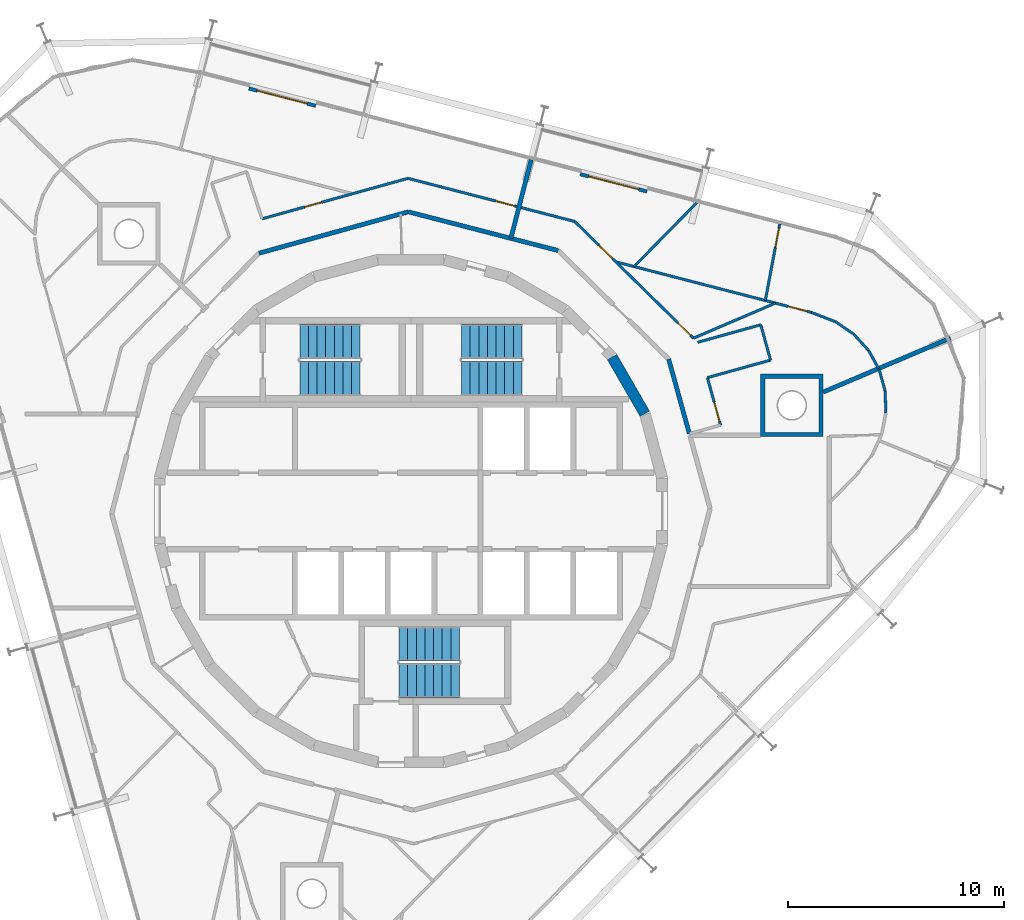
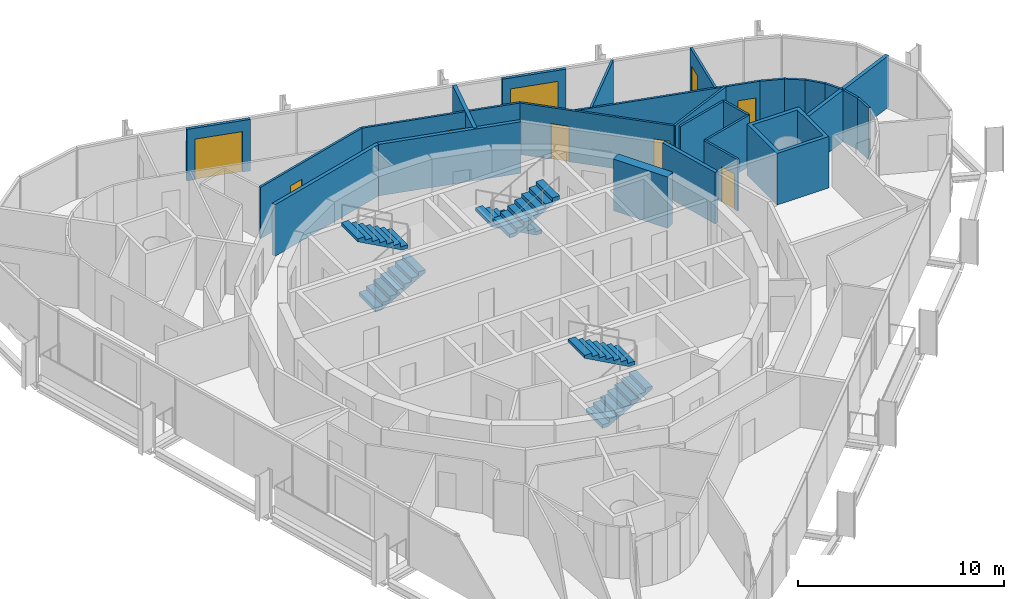
# One storey, part 14 of 15: 26 walls, 9 doors, 6 stair flights, 9 openings, 3 elements without a shape of their own.
"""IFC4 building model written with IfcOpenShell, lengths in metres."""

from ifc_helpers import new_model, si_unit, direction, frame, frame_2d, origin, place, context, subcontext, project, spatial, polyline, rectangle, outline, extrude, material, layer, layer_set, type_object, element, fill, aggregate, save


model = new_model("IFC4")

# Units and contexts
model_context = context("Model", 3, precision=1e-05, world=origin(), true_north=direction((0.0, 1.0)))
body_context = subcontext(model_context, "Body", "Model", "MODEL_VIEW")
ifc_project = project(units=[si_unit("LENGTHUNIT", "METRE"), si_unit("AREAUNIT", "SQUARE_METRE"), si_unit("VOLUMEUNIT", "CUBIC_METRE"), si_unit("PLANEANGLEUNIT", "RADIAN"), si_unit("MASSUNIT", "GRAM", prefix="KILO")], contexts=[model_context])

# Site, building, storey
site_placement = place(None, origin())
site = spatial("IfcSite", under=ifc_project, at=site_placement, CompositionType="ELEMENT")
building_placement = place(site_placement, origin())
building = spatial("IfcBuilding", under=site, at=building_placement, Name="Spindle Arch Residences", CompositionType="ELEMENT")
storey_placement = place(building_placement, frame((0.0, 0.0, 322.699951171875)))
storey = spatial("IfcBuildingStorey", under=building, at=storey_placement, Name="L83", CompositionType="ELEMENT", Elevation=322.699951171875)

# Walls
ifc_material_1 = material(Name="Concrete C50/60", Category="concrete")
ifc_layer_1 = layer(ifc_material_1, 0.5)
ifc_layer_set_1 = layer_set([ifc_layer_1], Name="Core outline wall 500")
wall_type_1 = type_object("IfcWallType", Name="Core outline wall 500", PredefinedType="SHEAR", material=ifc_layer_set_1)
wall_1_placement = place(storey_placement, frame((10.84521484375, 4.510498046875, 0.0), z_axis=(0.0, 0.0, 1.0), x_axis=(-0.500087131594, 0.865975092491, 0.0)))
element("IfcWall", 1, at=wall_1_placement, inside=storey, type_object=wall_type_1, Name="Core outline wall 8", PredefinedType="SHEAR", context=body_context, shape_type="SweptSolid", body=[
    extrude(rectangle(XDim=3.03271484375, YDim=0.5, at=frame_2d((1.516357421875, 0.0))), origin(), (0.0, 0.0, 1.0), 3.050048828125),
])
ifc_material_2 = material(Name="Calcium silicate block, plastered")
ifc_layer_2 = layer(ifc_material_2, 0.199951171875)
ifc_layer_set_2 = layer_set([ifc_layer_2], Name="Corridor wall 200")
wall_type_2 = type_object("IfcWallType", Name="Corridor wall 200", PredefinedType="STANDARD", material=ifc_layer_set_2)
wall_2_placement = place(storey_placement, frame((12.91259765625, 3.5810546875, 0.0), z_axis=(0.0, 0.0, 1.0), x_axis=(-0.267223005422, 0.963634715737, 0.0)))
element("IfcWall", 2, at=wall_2_placement, inside=storey, type_object=wall_type_2, Name="Corridor wall R8C1-W006", PredefinedType="STANDARD", context=body_context, shape_type="SweptSolid", body=[
    extrude(rectangle(XDim=3.590576171875, YDim=0.199951171875, at=frame_2d((1.79541015625, 0.0))), origin(), (0.0, 0.0, 1.0), 3.050048828125),
])
for number, where, z_axis, x_axis, name in (
    (3, (6.831298828125, 12.07421875, 0.0), (0.0, 0.0, 1.0), (-0.968144780225, 0.250391063186, 0.0), "Corridor wall R8C1-W008"),
    (4, (-0.12109375, 13.872314453125, 0.0), (0.0, 0.0, 1.0), (-0.963625960674, -0.267254575108, 0.0), "Corridor wall R8C1-W009"),
):
    element("IfcWall", number, at=place(storey_placement, frame(where, z_axis=z_axis, x_axis=x_axis)), inside=storey, type_object=wall_type_2, Name=name, PredefinedType="STANDARD", context=body_context, shape_type="SweptSolid", body=[
        extrude(rectangle(XDim=7.18115234375, YDim=0.199951171875, at=frame_2d((3.590576171875, 0.0))), origin(), (0.0, 0.0, 1.0), 3.050048828125),
    ])

# Wall, opening, door
ifc_material_3 = material(Name="Plasterboard on steel studs", Category="steel")
ifc_layer_3 = layer(ifc_material_3, 0.1201171875)
ifc_layer_set_3 = layer_set([ifc_layer_3], Name="Flat partition 120")
wall_type_3 = type_object("IfcWallType", Name="Flat partition 120", PredefinedType="PARTITIONING", material=ifc_layer_set_3)
wall_3_placement = place(storey_placement, frame((14.358154296875, 3.98193359375, 0.0), z_axis=(0.0, 0.0, 1.0), x_axis=(-0.267263698345, 0.963623430364, 0.0)))
wall_3 = element("IfcWall", 5, at=wall_3_placement, inside=storey, type_object=wall_type_3, Name="Flat partition R8C1-W031", PredefinedType="PARTITIONING", context=body_context, shape_type="SweptSolid", body=[
    extrude(rectangle(XDim=2.28564453125, YDim=0.1201171875, at=frame_2d((1.142822265625, 0.0))), origin(), (0.0, 0.0, 1.0), 3.050048828125),
])
opening_1_placement = place(wall_3_placement, frame((0.199951171875, 0.0, 0.0)))
opening_1 = element("IfcOpeningElement", 6, at=opening_1_placement, cuts=wall_3, Name="Opening R8C1-ID01", PredefinedType="OPENING", context=body_context, shape_type="SweptSolid", body=[
    extrude(rectangle(XDim=0.89990234375, YDim=2.10009765625, at=frame_2d((0.449951171875, 1.050048828125))), frame((0.0, 0.070068359375, 0.0), z_axis=(0.0, -1.0, 0.0), x_axis=(1.0, 0.0, 0.0)), (0.0, 0.0, 1.0), 0.14013671875),
])
ifc_material_4 = material(Name="Timber door set", Category="wood")
door_type_1 = type_object("IfcDoorType", Name="Room door 900x2100", OperationType="NOTDEFINED", PredefinedType="DOOR", material=ifc_material_4)
door_1_placement = place(opening_1_placement, origin())
door_1 = element("IfcDoor", 7, at=door_1_placement, inside=storey, type_object=door_type_1, Name="Room door R8C1-ID01", OperationType="SINGLE_SWING_LEFT", OverallHeight=2.10009765625, OverallWidth=0.89990234375, PredefinedType="DOOR", context=body_context, shape_type="SweptSolid", body=[
    extrude(rectangle(XDim=0.89990234375, YDim=2.10009765625, at=frame_2d((0.449951171875, 1.050048828125))), frame((0.0, 0.02490234375, 0.0), z_axis=(0.0, -1.0, 0.0), x_axis=(1.0, 0.0, 0.0)), (0.0, 0.0, 1.0), 0.050048828125),
])
fill(opening_1, door_1)

# Walls
wall_4_placement = place(storey_placement, frame((13.747314453125, 6.184326171875, 0.0), z_axis=(0.0, 0.0, 1.0), x_axis=(0.963620272151, 0.267275085073, 0.0)))
element("IfcWall", 8, at=wall_4_placement, inside=storey, type_object=wall_type_3, Name="Flat partition R8C1-W032", PredefinedType="PARTITIONING", context=body_context, shape_type="SweptSolid", body=[
    extrude(rectangle(XDim=3.0390625, YDim=0.1201171875, at=frame_2d((1.51953125, 0.0))), origin(), (0.0, 0.0, 1.0), 3.050048828125),
])
wall_5_placement = place(storey_placement, frame((16.67578125, 6.99658203125, 0.0), z_axis=(0.0, 0.0, 1.0), x_axis=(-0.267258687102, 0.963624820233, 0.0)))
element("IfcWall", 9, at=wall_5_placement, inside=storey, type_object=wall_type_3, Name="Flat partition R8C1-W033", PredefinedType="PARTITIONING", context=body_context, shape_type="SweptSolid", body=[
    extrude(rectangle(XDim=1.699951171875, YDim=0.1201171875, at=frame_2d((0.85009765625, 0.0))), origin(), (0.0, 0.0, 1.0), 3.050048828125),
])
wall_6_placement = place(storey_placement, frame((16.221435546875, 8.634765625, 0.0), z_axis=(0.0, 0.0, 1.0), x_axis=(-0.963616947452, -0.267287071484, 0.0)))
element("IfcWall", 10, at=wall_6_placement, inside=storey, type_object=wall_type_3, Name="Flat partition R8C1-W034", PredefinedType="PARTITIONING", context=body_context, shape_type="SweptSolid", body=[
    extrude(rectangle(XDim=3.03515625, YDim=0.1201171875, at=frame_2d((1.517578125, 0.0))), origin(), (0.0, 0.0, 1.0), 3.050048828125),
])

# Wall, openings, doors
wall_7_placement = place(storey_placement, frame((13.102783203125, 8.014404296875, 0.0), z_axis=(0.0, 0.0, 1.0), x_axis=(-0.713261822754, 0.700897690253, 0.0)))
wall_7 = element("IfcWall", 11, at=wall_7_placement, inside=storey, type_object=wall_type_3, Name="Flat partition R8C1-W035", PredefinedType="PARTITIONING", context=body_context, shape_type="SweptSolid", body=[
    extrude(rectangle(XDim=7.720703125, YDim=0.1201171875, at=frame_2d((3.8603515625, 0.0))), origin(), (0.0, 0.0, 1.0), 3.050048828125),
])
opening_2_placement = place(wall_7_placement, frame((0.199951171875, 0.0, 0.0)))
opening_2 = element("IfcOpeningElement", 12, at=opening_2_placement, cuts=wall_7, Name="Opening R8C1-BD01", PredefinedType="OPENING", context=body_context, shape_type="SweptSolid", body=[
    extrude(rectangle(XDim=0.800048828125, YDim=2.10009765625, at=frame_2d((0.39990234375, 1.050048828125))), frame((0.0, 0.070068359375, 0.0), z_axis=(0.0, -1.0, 0.0), x_axis=(1.0, 0.0, 0.0)), (0.0, 0.0, 1.0), 0.14013671875),
])
opening_3_placement = place(wall_7_placement, frame((5.25, 0.0, 0.0)))
opening_3 = element("IfcOpeningElement", 13, at=opening_3_placement, cuts=wall_7, Name="Opening R8C1-ID02", PredefinedType="OPENING", context=body_context, shape_type="SweptSolid", body=[
    extrude(rectangle(XDim=0.89990234375, YDim=2.10009765625, at=frame_2d((0.449951171875, 1.050048828125))), frame((0.0, 0.070068359375, 0.0), z_axis=(0.0, -1.0, 0.0), x_axis=(1.0, 0.0, 0.0)), (0.0, 0.0, 1.0), 0.14013671875),
])
ifc_material_5 = material(Name="Timber door set", Category="wood")
door_type_2 = type_object("IfcDoorType", Name="Bathroom door 800x2100", OperationType="NOTDEFINED", PredefinedType="DOOR", material=ifc_material_5)
door_2_placement = place(opening_2_placement, origin())
door_2 = element("IfcDoor", 14, at=door_2_placement, inside=storey, type_object=door_type_2, Name="Bathroom door R8C1-BD01", OperationType="SINGLE_SWING_LEFT", OverallHeight=2.10009765625, OverallWidth=0.800048828125, PredefinedType="DOOR", context=body_context, shape_type="SweptSolid", body=[
    extrude(rectangle(XDim=0.800048828125, YDim=2.10009765625, at=frame_2d((0.39990234375, 1.050048828125))), frame((0.0, 0.02490234375, 0.0), z_axis=(0.0, -1.0, 0.0), x_axis=(1.0, 0.0, 0.0)), (0.0, 0.0, 1.0), 0.050048828125),
])
fill(opening_2, door_2)
door_3_placement = place(opening_3_placement, origin())
door_3 = element("IfcDoor", 15, at=door_3_placement, inside=storey, type_object=door_type_1, Name="Room door R8C1-ID02", OperationType="SINGLE_SWING_LEFT", OverallHeight=2.10009765625, OverallWidth=0.89990234375, PredefinedType="DOOR", context=body_context, shape_type="SweptSolid", body=[
    extrude(rectangle(XDim=0.89990234375, YDim=2.10009765625, at=frame_2d((0.449951171875, 1.050048828125))), frame((0.0, 0.02490234375, 0.0), z_axis=(0.0, -1.0, 0.0), x_axis=(1.0, 0.0, 0.0)), (0.0, 0.0, 1.0), 0.050048828125),
])
fill(opening_3, door_3)

# Wall, opening, door
wall_8_placement = place(storey_placement, frame((7.595947265625, 13.42578125, 0.0), z_axis=(0.0, 0.0, 1.0), x_axis=(-0.968146656033, 0.250383810203, 0.0)))
wall_8 = element("IfcWall", 16, at=wall_8_placement, inside=storey, type_object=wall_type_3, Name="Flat partition R8C1-W036", PredefinedType="PARTITIONING", context=body_context, shape_type="SweptSolid", body=[
    extrude(rectangle(XDim=7.98486328125, YDim=0.1201171875, at=frame_2d((3.992431640625, 0.0))), origin(), (0.0, 0.0, 1.0), 3.050048828125),
])
opening_4_placement = place(wall_8_placement, frame((2.869873046875, 0.0, 0.0)))
opening_4 = element("IfcOpeningElement", 17, at=opening_4_placement, cuts=wall_8, Name="Opening R8C1-ID05", PredefinedType="OPENING", context=body_context, shape_type="SweptSolid", body=[
    extrude(rectangle(XDim=0.89990234375, YDim=2.10009765625, at=frame_2d((0.449951171875, 1.050048828125))), frame((0.0, 0.070068359375, 0.0), z_axis=(0.0, -1.0, 0.0), x_axis=(1.0, 0.0, 0.0)), (0.0, 0.0, 1.0), 0.14013671875),
])
door_4_placement = place(opening_4_placement, origin())
door_4 = element("IfcDoor", 18, at=door_4_placement, inside=storey, type_object=door_type_1, Name="Room door R8C1-ID05", OperationType="SINGLE_SWING_LEFT", OverallHeight=2.10009765625, OverallWidth=0.89990234375, PredefinedType="DOOR", context=body_context, shape_type="SweptSolid", body=[
    extrude(rectangle(XDim=0.89990234375, YDim=2.10009765625, at=frame_2d((0.449951171875, 1.050048828125))), frame((0.0, 0.02490234375, 0.0), z_axis=(0.0, -1.0, 0.0), x_axis=(1.0, 0.0, 0.0)), (0.0, 0.0, 1.0), 0.050048828125),
])
fill(opening_4, door_4)

# Walls
wall_9_placement = place(storey_placement, frame((21.68359375, 6.60546875, 0.0), z_axis=(0.0, 0.0, 1.0), x_axis=(-0.482263369205, 0.876026279699, 0.0)))
element("IfcWall", 19, at=wall_9_placement, inside=storey, type_object=wall_type_3, Name="Flat partition R8C1-W037", PredefinedType="PARTITIONING", context=body_context, shape_type="SweptSolid", body=[
    extrude(rectangle(XDim=0.95166015625, YDim=0.1201171875, at=frame_2d((0.475830078125, 0.0))), origin(), (0.0, 0.0, 1.0), 3.050048828125),
])
for number, where, z_axis, x_axis, name in (
    (20, (21.224609375, 7.439208984375, 0.0), (0.0, 0.0, 1.0), (-0.671271958664, 0.741211142328, 0.0), "Flat partition R8C1-W038"),
    (21, (20.542724609375, 8.192138671875, 0.0), (0.0, 0.0, 1.0), (-0.824091007041, 0.566457423037, 0.0), "Flat partition R8C1-W039"),
):
    element("IfcWall", number, at=place(storey_placement, frame(where, z_axis=z_axis, x_axis=x_axis)), inside=storey, type_object=wall_type_3, Name=name, PredefinedType="PARTITIONING", context=body_context, shape_type="SweptSolid", body=[
        extrude(rectangle(XDim=1.015869140625, YDim=0.1201171875, at=frame_2d((0.5078125, 0.0))), origin(), (0.0, 0.0, 1.0), 3.050048828125),
    ])
wall_10_placement = place(storey_placement, frame((19.70556640625, 8.767578125, 0.0), z_axis=(0.0, 0.0, 1.0), x_axis=(-0.932522717361, 0.361111314702, 0.0)))
element("IfcWall", 22, at=wall_10_placement, inside=storey, type_object=wall_type_3, Name="Flat partition R8C1-W040", PredefinedType="PARTITIONING", context=body_context, shape_type="SweptSolid", body=[
    extrude(rectangle(XDim=1.22705078125, YDim=0.1201171875, at=frame_2d((0.613525390625, 0.0))), origin(), (0.0, 0.0, 1.0), 3.050048828125),
])

# Wall, opening, door
wall_11_placement = place(storey_placement, frame((18.561279296875, 9.210693359375, 0.0), z_axis=(0.0, 0.0, 1.0), x_axis=(-0.968146475492, 0.250384508293, 0.0)))
wall_11 = element("IfcWall", 23, at=wall_11_placement, inside=storey, type_object=wall_type_3, Name="Flat partition R8C1-W041", PredefinedType="PARTITIONING", context=body_context, shape_type="SweptSolid", body=[
    extrude(rectangle(XDim=9.358642578125, YDim=0.1201171875, at=frame_2d((4.67919921875, 0.0))), origin(), (0.0, 0.0, 1.0), 3.050048828125),
])
opening_5_placement = place(wall_11_placement, frame((0.199951171875, 0.0, 0.0)))
opening_5 = element("IfcOpeningElement", 24, at=opening_5_placement, cuts=wall_11, Name="Opening R8C1-ID03", PredefinedType="OPENING", context=body_context, shape_type="SweptSolid", body=[
    extrude(rectangle(XDim=0.89990234375, YDim=2.10009765625, at=frame_2d((0.449951171875, 1.050048828125))), frame((0.0, 0.070068359375, 0.0), z_axis=(0.0, -1.0, 0.0), x_axis=(1.0, 0.0, 0.0)), (0.0, 0.0, 1.0), 0.14013671875),
])
door_5_placement = place(opening_5_placement, origin())
door_5 = element("IfcDoor", 25, at=door_5_placement, inside=storey, type_object=door_type_1, Name="Room door R8C1-ID03", OperationType="SINGLE_SWING_LEFT", OverallHeight=2.10009765625, OverallWidth=0.89990234375, PredefinedType="DOOR", context=body_context, shape_type="SweptSolid", body=[
    extrude(rectangle(XDim=0.89990234375, YDim=2.10009765625, at=frame_2d((0.449951171875, 1.050048828125))), frame((0.0, 0.02490234375, 0.0), z_axis=(0.0, -1.0, 0.0), x_axis=(1.0, 0.0, 0.0)), (0.0, 0.0, 1.0), 0.050048828125),
])
fill(opening_5, door_5)

# Wall
wall_12_placement = place(storey_placement, frame((16.901611328125, 9.639892578125, 0.0), z_axis=(0.0, 0.0, 1.0), x_axis=(-0.919371033545, -0.393391538647, 0.0)))
element("IfcWall", 26, at=wall_12_placement, inside=storey, type_object=wall_type_3, Name="Flat partition R8C1-W042", PredefinedType="PARTITIONING", context=body_context, shape_type="SweptSolid", body=[
    extrude(rectangle(XDim=4.132080078125, YDim=0.1201171875, at=frame_2d((2.06591796875, 0.0))), origin(), (0.0, 0.0, 1.0), 3.050048828125),
])

# Wall, opening, door
wall_13_placement = place(storey_placement, frame((17.1015625, 13.306640625, 0.0), z_axis=(0.0, 0.0, 1.0), x_axis=(-0.185134164105, -0.982713254862, 0.0)))
wall_13 = element("IfcWall", 27, at=wall_13_placement, inside=storey, type_object=wall_type_3, Name="Flat partition R8C1-W043", PredefinedType="PARTITIONING", context=body_context, shape_type="SweptSolid", body=[
    extrude(rectangle(XDim=3.60791015625, YDim=0.1201171875, at=frame_2d((1.803955078125, 0.0))), origin(), (0.0, 0.0, 1.0), 3.050048828125),
])
opening_6_placement = place(wall_13_placement, frame((0.199951171875, 0.0, 0.0)))
opening_6 = element("IfcOpeningElement", 28, at=opening_6_placement, cuts=wall_13, Name="Opening R8C1-ID04", PredefinedType="OPENING", context=body_context, shape_type="SweptSolid", body=[
    extrude(rectangle(XDim=0.89990234375, YDim=2.10009765625, at=frame_2d((0.449951171875, 1.050048828125))), frame((0.0, 0.070068359375, 0.0), z_axis=(0.0, -1.0, 0.0), x_axis=(1.0, 0.0, 0.0)), (0.0, 0.0, 1.0), 0.14013671875),
])
door_6_placement = place(opening_6_placement, origin())
door_6 = element("IfcDoor", 29, at=door_6_placement, inside=storey, type_object=door_type_1, Name="Room door R8C1-ID04", OperationType="SINGLE_SWING_RIGHT", OverallHeight=2.10009765625, OverallWidth=0.89990234375, PredefinedType="DOOR", context=body_context, shape_type="SweptSolid", body=[
    extrude(rectangle(XDim=0.89990234375, YDim=2.10009765625, at=frame_2d((0.449951171875, 1.050048828125))), frame((0.0, 0.02490234375, 0.0), z_axis=(0.0, -1.0, 0.0), x_axis=(1.0, 0.0, 0.0)), (0.0, 0.0, 1.0), 0.050048828125),
])
fill(opening_6, door_6)

# Wall
wall_14_placement = place(storey_placement, frame((13.260498046875, 14.300048828125, 0.0), z_axis=(0.0, 0.0, 1.0), x_axis=(-0.700942858884, -0.713217434293, 0.0)))
element("IfcWall", 30, at=wall_14_placement, inside=storey, type_object=wall_type_3, Name="Flat partition R8C1-W044", PredefinedType="PARTITIONING", context=body_context, shape_type="SweptSolid", body=[
    extrude(rectangle(XDim=4.156982421875, YDim=0.1201171875, at=frame_2d((2.07861328125, 0.0))), origin(), (0.0, 0.0, 1.0), 3.050048828125),
])

# Wall, opening, door
wall_15_placement = place(storey_placement, frame((-0.134521484375, 15.425048828125, 0.0), z_axis=(0.0, 0.0, 1.0), x_axis=(-0.963625407294, -0.267256570392, 0.0)))
wall_15 = element("IfcWall", 31, at=wall_15_placement, inside=storey, type_object=wall_type_3, Name="Flat partition R8C1-W045", PredefinedType="PARTITIONING", context=body_context, shape_type="SweptSolid", body=[
    extrude(rectangle(XDim=7.02294921875, YDim=0.1201171875, at=frame_2d((3.511474609375, 0.0))), origin(), (0.0, 0.0, 1.0), 3.050048828125),
])
opening_7_placement = place(wall_15_placement, frame((4.170654296875, 0.0, 0.0)))
opening_7 = element("IfcOpeningElement", 32, at=opening_7_placement, cuts=wall_15, Name="Opening R8C1-BD02", PredefinedType="OPENING", context=body_context, shape_type="SweptSolid", body=[
    extrude(rectangle(XDim=0.800048828125, YDim=2.10009765625, at=frame_2d((0.39990234375, 1.050048828125))), frame((0.0, 0.070068359375, 0.0), z_axis=(0.0, -1.0, 0.0), x_axis=(1.0, 0.0, 0.0)), (0.0, 0.0, 1.0), 0.14013671875),
])
door_7_placement = place(opening_7_placement, origin())
door_7 = element("IfcDoor", 33, at=door_7_placement, inside=storey, type_object=door_type_2, Name="Bathroom door R8C1-BD02", OperationType="SINGLE_SWING_RIGHT", OverallHeight=2.10009765625, OverallWidth=0.800048828125, PredefinedType="DOOR", context=body_context, shape_type="SweptSolid", body=[
    extrude(rectangle(XDim=0.800048828125, YDim=2.10009765625, at=frame_2d((0.39990234375, 1.050048828125))), frame((0.0, 0.02490234375, 0.0), z_axis=(0.0, -1.0, 0.0), x_axis=(1.0, 0.0, 0.0)), (0.0, 0.0, 1.0), 0.050048828125),
])
fill(opening_7, door_7)

# Walls
for number, where, z_axis, x_axis, name in (
    (34, (21.714599609375, 6.549072265625, 0.0), (0.0, 0.0, 1.0), (0.267222438577, -0.963634872927, 0.0), "Flat partition R8C1-W102"),
    (35, (21.986083984375, 5.570068359375, 0.0), (0.0, 0.0, 1.0), (0.037971633756, -0.999278817463, 0.0), "Flat partition R8C1-W103"),
):
    element("IfcWall", number, at=place(storey_placement, frame(where, z_axis=z_axis, x_axis=x_axis)), inside=storey, type_object=wall_type_3, Name=name, PredefinedType="PARTITIONING", context=body_context, shape_type="SweptSolid", body=[
        extrude(rectangle(XDim=1.015869140625, YDim=0.1201171875, at=frame_2d((0.5078125, 0.0))), origin(), (0.0, 0.0, 1.0), 3.050048828125),
    ])
ifc_material_6 = material(Name="Calcium silicate block, plastered")
ifc_layer_4 = layer(ifc_material_6, 0.199951171875)
ifc_layer_set_4 = layer_set([ifc_layer_4], Name="Flat party wall 200")
wall_type_4 = type_object("IfcWallType", Name="Flat party wall 200", PredefinedType="STANDARD", material=ifc_layer_set_4)
wall_16_placement = place(storey_placement, frame((5.578125, 16.286865234375, 0.0), z_axis=(0.0, 0.0, 1.0), x_axis=(-0.250385965992, -0.968146098497, 0.0)))
element("IfcWall", 36, at=wall_16_placement, inside=storey, type_object=wall_type_4, Name="Flat party wall R8C1-W022", PredefinedType="STANDARD", context=body_context, shape_type="SweptSolid", body=[
    extrude(rectangle(XDim=3.7646484375, YDim=0.199951171875, at=frame_2d((1.88232421875, 0.0))), origin(), (0.0, 0.0, 1.0), 3.050048828125),
])
wall_17_placement = place(storey_placement, frame((19.112548828125, 5.513916015625, 0.0), z_axis=(0.0, 0.0, 1.0), x_axis=(0.920500452946, 0.390741495269, 0.0)))
element("IfcWall", 37, at=wall_17_placement, inside=storey, type_object=wall_type_4, Name="Flat party wall R8C1-W023", PredefinedType="STANDARD", context=body_context, shape_type="SweptSolid", body=[
    extrude(rectangle(XDim=6.411865234375, YDim=0.199951171875, at=frame_2d((3.2060546875, 0.0))), origin(), (0.0, 0.0, 1.0), 3.050048828125),
])

# Wall, opening, door
ifc_material_7 = material(Name="Non-combustible mineral wool insulated aluminium faced external wall (K0)", Category="aluminium")
ifc_layer_5 = layer(ifc_material_7, 0.159912109375)
ifc_layer_set_5 = layer_set([ifc_layer_5], Name="Insulated external wall panel 160")
wall_type_5 = type_object("IfcWallType", Name="Insulated external wall panel 160", PredefinedType="STANDARD", material=ifc_layer_set_5)
wall_18_placement = place(storey_placement, frame((10.9482421875, 14.815185546875, 0.0), z_axis=(0.0, 0.0, 1.0), x_axis=(-0.968144998439, 0.250390219454, 0.0)))
wall_18 = element("IfcWall", 38, at=wall_18_placement, inside=storey, type_object=wall_type_5, Name="External wall L83 bay 6", PredefinedType="STANDARD", context=body_context, shape_type="SweptSolid", body=[
    extrude(rectangle(XDim=3.2001953125, YDim=0.159912109375, at=frame_2d((1.60009765625, 0.0))), origin(), (0.0, 0.0, 1.0), 3.050048828125),
])
opening_8_placement = place(wall_18_placement, frame((0.39990234375, 0.0, 0.0)))
opening_8 = element("IfcOpeningElement", 39, at=opening_8_placement, cuts=wall_18, Name="Opening BD06", PredefinedType="OPENING", context=body_context, shape_type="SweptSolid", body=[
    extrude(rectangle(XDim=2.39990234375, YDim=2.39990234375, at=frame_2d((1.199951171875, 1.199951171875))), frame((0.0, 0.08984375, 0.0), z_axis=(0.0, -1.0, 0.0), x_axis=(1.0, 0.0, 0.0)), (0.0, 0.0, 1.0), 0.179931640625),
])
ifc_material_8 = material(Name="Bronze aluminium frame, tinted double glazing", Category="aluminium")
door_type_3 = type_object("IfcDoorType", Name="Sliding glazed balcony door 2400x2400", OperationType="DOUBLE_DOOR_SLIDING", PredefinedType="DOOR", material=ifc_material_8)
door_8_placement = place(opening_8_placement, origin())
door_8 = element("IfcDoor", 40, at=door_8_placement, inside=storey, type_object=door_type_3, Name="Balcony door BD06", OperationType="DOUBLE_DOOR_SLIDING", OverallHeight=2.39990234375, OverallWidth=2.39990234375, PredefinedType="DOOR", context=body_context, shape_type="SweptSolid", body=[
    extrude(rectangle(XDim=2.39990234375, YDim=2.39990234375, at=frame_2d((1.199951171875, 1.199951171875))), frame((0.0, 0.02490234375, 0.0), z_axis=(0.0, -1.0, 0.0), x_axis=(1.0, 0.0, 0.0)), (0.0, 0.0, 1.0), 0.050048828125),
])
fill(opening_8, door_8)

wall_19_placement = place(storey_placement, frame((-4.41650390625, 18.788818359375, 0.0), z_axis=(0.0, 0.0, 1.0), x_axis=(-0.968140214764, 0.250408715017, 0.0)))
wall_19 = element("IfcWall", 41, at=wall_19_placement, inside=storey, type_object=wall_type_5, Name="External wall L83 bay 8", PredefinedType="STANDARD", context=body_context, shape_type="SweptSolid", body=[
    extrude(rectangle(XDim=3.199951171875, YDim=0.159912109375, at=frame_2d((1.60009765625, 0.0))), origin(), (0.0, 0.0, 1.0), 3.050048828125),
])
opening_9_placement = place(wall_19_placement, frame((0.39990234375, 0.0, 0.0)))
opening_9 = element("IfcOpeningElement", 42, at=opening_9_placement, cuts=wall_19, Name="Opening BD08", PredefinedType="OPENING", context=body_context, shape_type="SweptSolid", body=[
    extrude(rectangle(XDim=2.39990234375, YDim=2.39990234375, at=frame_2d((1.199951171875, 1.199951171875))), frame((0.0, 0.08984375, 0.0), z_axis=(0.0, -1.0, 0.0), x_axis=(1.0, 0.0, 0.0)), (0.0, 0.0, 1.0), 0.179931640625),
])
door_9_placement = place(opening_9_placement, origin())
door_9 = element("IfcDoor", 43, at=door_9_placement, inside=storey, type_object=door_type_3, Name="Balcony door BD08", OperationType="DOUBLE_DOOR_SLIDING", OverallHeight=2.39990234375, OverallWidth=2.39990234375, PredefinedType="DOOR", context=body_context, shape_type="SweptSolid", body=[
    extrude(rectangle(XDim=2.39990234375, YDim=2.39990234375, at=frame_2d((1.199951171875, 1.199951171875))), frame((0.0, 0.02490234375, 0.0), z_axis=(0.0, -1.0, 0.0), x_axis=(1.0, 0.0, 0.0)), (0.0, 0.0, 1.0), 0.050048828125),
])
fill(opening_9, door_9)

# Wall
ifc_material_9 = material(Name="Calcium silicate block, plastered")
ifc_layer_6 = layer(ifc_material_9, 0.199951171875)
ifc_layer_set_6 = layer_set([ifc_layer_6], Name="Mega-column casing wall 200")
wall_type_6 = type_object("IfcWallType", Name="Mega-column casing wall 200", PredefinedType="STANDARD", material=ifc_layer_set_6)
wall_20_placement = place(storey_placement, origin())
element("IfcWall", 44, at=wall_20_placement, inside=storey, type_object=wall_type_6, Name="Mega-column casing wall R8C1-WC01", PredefinedType="STANDARD", context=body_context, shape_type="SweptSolid", body=[
    extrude(outline(polyline([(19.112548828125, 6.348388671875), (19.112548828125, 3.4482421875), (16.212646484375, 3.4482421875), (16.212646484375, 6.348388671875), (19.112548828125, 6.348388671875)]), holes=[polyline([(16.41259765625, 3.648193359375), (18.91259765625, 3.648193359375), (18.91259765625, 6.148193359375), (16.41259765625, 6.148193359375), (16.41259765625, 3.648193359375)])]), origin(), (0.0, 0.0, 1.0), 3.050048828125),
])

# Stair, stair flights
ifc_material_10 = material(Name="Concrete C50/60", Category="concrete")
stair_type = type_object("IfcStairType", Name="Exit stair 16 risers", PredefinedType="HALF_TURN_STAIR", material=ifc_material_10)
stair_1_placement = place(storey_placement, origin())
stair_1 = element("IfcStair", 45, at=stair_1_placement, inside=storey, type_object=stair_type, Name="L83 Exit stair ST1", PredefinedType="HALF_TURN_STAIR")
ifc_material_11 = material(Name="Concrete C50/60", Category="concrete")
stair_flight_type = type_object("IfcStairFlightType", Name="Exit stair flight", PredefinedType="STRAIGHT", material=ifc_material_11)
stair_flight_1_placement = place(storey_placement, frame((5.14990234375, 7.8701171875, 0.0), z_axis=(0.0, 0.0, 1.0), x_axis=(-1.0, 0.0, 0.0)))
stair_flight_1 = element("IfcStairFlight", 46, at=stair_flight_1_placement, type_object=stair_flight_type, Name="ST1 flight 1", NumberOfRisers=8, NumberOfTreads=7, PredefinedType="STRAIGHT", RiserHeight=0.21875, TreadLength=0.4, context=body_context, shape_type="SweptSolid", body=[
    extrude(outline(polyline([(0.0, 0.0), (0.0, 0.21875), (0.39990234375, 0.21875), (0.39990234375, 0.4375), (0.800048828125, 0.4375), (0.800048828125, 0.65625), (1.199951171875, 0.65625), (1.199951171875, 0.875), (1.60009765625, 0.875), (1.60009765625, 1.09375), (2.0, 1.09375), (2.0, 1.3125), (2.39990234375, 1.3125), (2.39990234375, 1.53125), (2.800048828125, 1.53125), (2.800048828125, 1.75), (2.800048828125, 1.3603515625), (0.3125, 0.0), (0.0, 0.0)])), frame((0.0, 0.800048828125, 0.0), z_axis=(0.0, -1.0, 0.0), x_axis=(1.0, 0.0, 0.0)), (0.0, 0.0, 1.0), 1.60009765625),
])
stair_flight_2_placement = place(storey_placement, frame((2.35009765625, 6.14990234375, 1.75), z_axis=(0.0, 0.0, 1.0), x_axis=(1.0, 0.0, 0.0)))
stair_flight_2 = element("IfcStairFlight", 47, at=stair_flight_2_placement, type_object=stair_flight_type, Name="ST1 flight 2", NumberOfRisers=8, NumberOfTreads=7, PredefinedType="STRAIGHT", RiserHeight=0.21875, TreadLength=0.4, context=body_context, shape_type="SweptSolid", body=[
    extrude(outline(polyline([(0.0, 0.0), (0.0, 0.21875), (0.39990234375, 0.21875), (0.39990234375, 0.4375), (0.800048828125, 0.4375), (0.800048828125, 0.65625), (1.199951171875, 0.65625), (1.199951171875, 0.875), (1.60009765625, 0.875), (1.60009765625, 1.09375), (2.0, 1.09375), (2.0, 1.3125), (2.39990234375, 1.3125), (2.39990234375, 1.53125), (2.800048828125, 1.53125), (2.800048828125, 1.75), (2.800048828125, 1.3603515625), (0.3125, 0.0), (0.0, 0.0)])), frame((0.0, 0.800048828125, 0.0), z_axis=(0.0, -1.0, 0.0), x_axis=(1.0, 0.0, 0.0)), (0.0, 0.0, 1.0), 1.60009765625),
])
aggregate(stair_1, [stair_flight_1, stair_flight_2])

stair_2_placement = place(storey_placement, origin())
stair_2 = element("IfcStair", 48, at=stair_2_placement, inside=storey, type_object=stair_type, Name="L83 Exit stair ST2", PredefinedType="HALF_TURN_STAIR")
stair_flight_3_placement = place(storey_placement, frame((-5.14990234375, 6.14990234375, 0.0), z_axis=(0.0, 0.0, 1.0), x_axis=(1.0, 0.0, 0.0)))
stair_flight_3 = element("IfcStairFlight", 49, at=stair_flight_3_placement, type_object=stair_flight_type, Name="ST2 flight 1", NumberOfRisers=8, NumberOfTreads=7, PredefinedType="STRAIGHT", RiserHeight=0.21875, TreadLength=0.4, context=body_context, shape_type="SweptSolid", body=[
    extrude(outline(polyline([(0.0, 0.0), (0.0, 0.21875), (0.39990234375, 0.21875), (0.39990234375, 0.4375), (0.800048828125, 0.4375), (0.800048828125, 0.65625), (1.199951171875, 0.65625), (1.199951171875, 0.875), (1.60009765625, 0.875), (1.60009765625, 1.09375), (2.0, 1.09375), (2.0, 1.3125), (2.39990234375, 1.3125), (2.39990234375, 1.53125), (2.800048828125, 1.53125), (2.800048828125, 1.75), (2.800048828125, 1.3603515625), (0.3125, 0.0), (0.0, 0.0)])), frame((0.0, 0.800048828125, 0.0), z_axis=(0.0, -1.0, 0.0), x_axis=(1.0, 0.0, 0.0)), (0.0, 0.0, 1.0), 1.60009765625),
])
stair_flight_4_placement = place(storey_placement, frame((-2.35009765625, 7.8701171875, 1.75), z_axis=(0.0, 0.0, 1.0), x_axis=(-1.0, 0.0, 0.0)))
stair_flight_4 = element("IfcStairFlight", 50, at=stair_flight_4_placement, type_object=stair_flight_type, Name="ST2 flight 2", NumberOfRisers=8, NumberOfTreads=7, PredefinedType="STRAIGHT", RiserHeight=0.21875, TreadLength=0.4, context=body_context, shape_type="SweptSolid", body=[
    extrude(outline(polyline([(0.0, 0.0), (0.0, 0.21875), (0.39990234375, 0.21875), (0.39990234375, 0.4375), (0.800048828125, 0.4375), (0.800048828125, 0.65625), (1.199951171875, 0.65625), (1.199951171875, 0.875), (1.60009765625, 0.875), (1.60009765625, 1.09375), (2.0, 1.09375), (2.0, 1.3125), (2.39990234375, 1.3125), (2.39990234375, 1.53125), (2.800048828125, 1.53125), (2.800048828125, 1.75), (2.800048828125, 1.3603515625), (0.3125, 0.0), (0.0, 0.0)])), frame((0.0, 0.800048828125, 0.0), z_axis=(0.0, -1.0, 0.0), x_axis=(1.0, 0.0, 0.0)), (0.0, 0.0, 1.0), 1.60009765625),
])
aggregate(stair_2, [stair_flight_3, stair_flight_4])

stair_3_placement = place(storey_placement, origin())
stair_3 = element("IfcStair", 51, at=stair_3_placement, inside=storey, type_object=stair_type, Name="L83 Exit stair ST3", PredefinedType="HALF_TURN_STAIR")
stair_flight_5_placement = place(storey_placement, frame((-0.550048828125, -7.8701171875, 0.0), z_axis=(0.0, 0.0, 1.0), x_axis=(1.0, 0.0, 0.0)))
stair_flight_5 = element("IfcStairFlight", 52, at=stair_flight_5_placement, type_object=stair_flight_type, Name="ST3 flight 1", NumberOfRisers=8, NumberOfTreads=7, PredefinedType="STRAIGHT", RiserHeight=0.21875, TreadLength=0.4, context=body_context, shape_type="SweptSolid", body=[
    extrude(outline(polyline([(0.0, 0.0), (0.0, 0.21875), (0.39990234375, 0.21875), (0.39990234375, 0.4375), (0.800048828125, 0.4375), (0.800048828125, 0.65625), (1.199951171875, 0.65625), (1.199951171875, 0.875), (1.60009765625, 0.875), (1.60009765625, 1.09375), (2.0, 1.09375), (2.0, 1.3125), (2.39990234375, 1.3125), (2.39990234375, 1.53125), (2.800048828125, 1.53125), (2.800048828125, 1.75), (2.800048828125, 1.3603515625), (0.3125, 0.0), (0.0, 0.0)])), frame((0.0, 0.800048828125, 0.0), z_axis=(0.0, -1.0, 0.0), x_axis=(1.0, 0.0, 0.0)), (0.0, 0.0, 1.0), 1.60009765625),
])
stair_flight_6_placement = place(storey_placement, frame((2.25, -6.14990234375, 1.75), z_axis=(0.0, 0.0, 1.0), x_axis=(-1.0, 0.0, 0.0)))
stair_flight_6 = element("IfcStairFlight", 53, at=stair_flight_6_placement, type_object=stair_flight_type, Name="ST3 flight 2", NumberOfRisers=8, NumberOfTreads=7, PredefinedType="STRAIGHT", RiserHeight=0.21875, TreadLength=0.4, context=body_context, shape_type="SweptSolid", body=[
    extrude(outline(polyline([(0.0, 0.0), (0.0, 0.21875), (0.39990234375, 0.21875), (0.39990234375, 0.4375), (0.800048828125, 0.4375), (0.800048828125, 0.65625), (1.199951171875, 0.65625), (1.199951171875, 0.875), (1.60009765625, 0.875), (1.60009765625, 1.09375), (2.0, 1.09375), (2.0, 1.3125), (2.39990234375, 1.3125), (2.39990234375, 1.53125), (2.800048828125, 1.53125), (2.800048828125, 1.75), (2.800048828125, 1.3603515625), (0.3125, 0.0), (0.0, 0.0)])), frame((0.0, 0.800048828125, 0.0), z_axis=(0.0, -1.0, 0.0), x_axis=(1.0, 0.0, 0.0)), (0.0, 0.0, 1.0), 1.60009765625),
])
aggregate(stair_3, [stair_flight_5, stair_flight_6])

save(model, "model.ifc")
